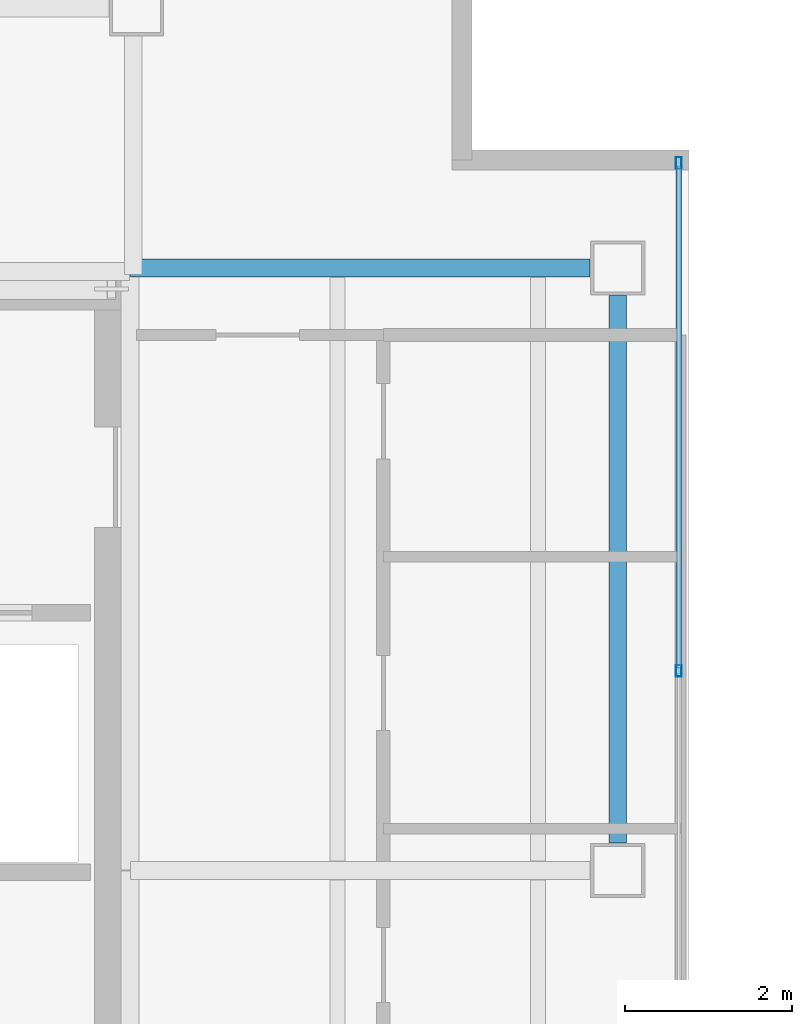
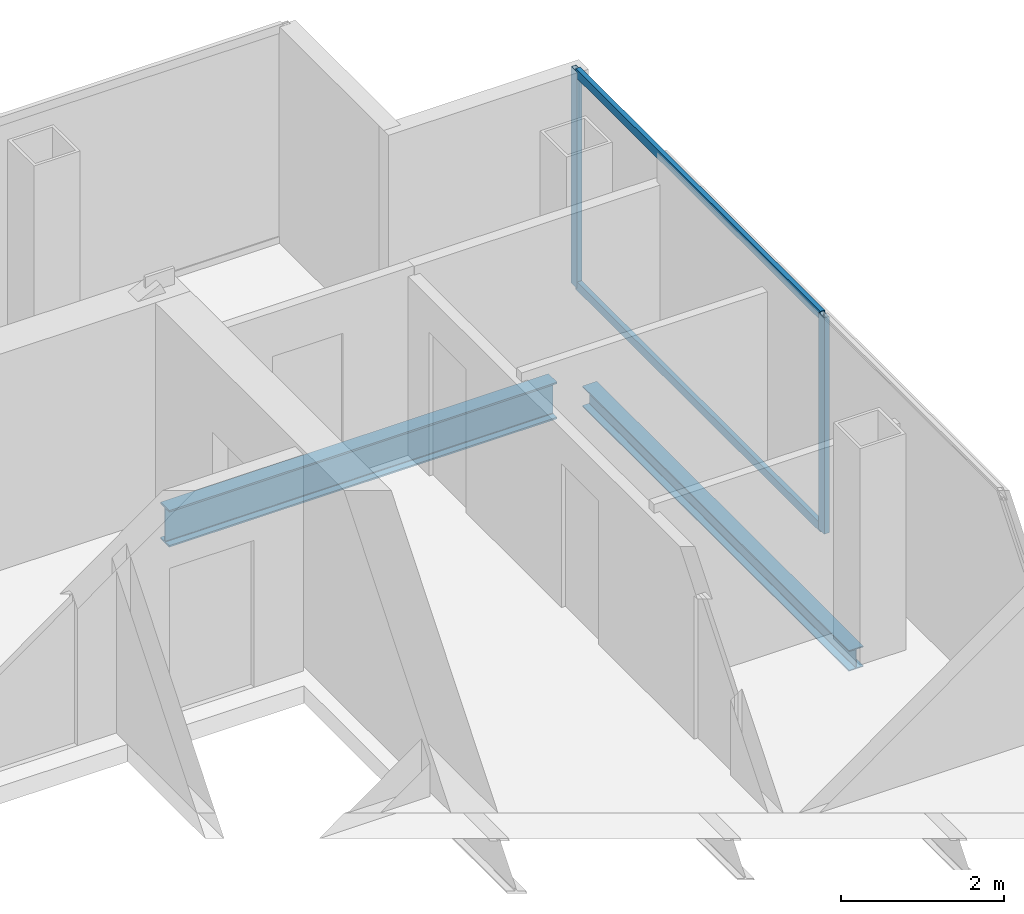
# One storey, part 11 of 23: 4 members, 2 beams, 1 element without a shape of its own.
"""IFC4 building model written with IfcOpenShell, lengths in metres."""

import ifcopenshell
import ifcopenshell.guid

model = None  # the IFC model being written
_history = None  # IfcOwnerHistory: only IFC2X3 demands one
_inside = {}  # id of a spatial element -> (the spatial element, [elements in it])
_under = {}  # id of a project, library or spatial element -> (it, [spatial elements below it])
_declared = {}  # id of a project -> (the project, [libraries it declares])
_typed = {}  # id of a type object -> (the type object, [elements of that type])
_made_of = {}  # id of a material, layer set ... -> (it, [elements and type objects made of it])


def new_model(schema):
    """Start an empty IFC model of exactly this schema.

    Asked for "IFC4X3", IfcOpenShell would pick the latest addendum, in which some entities
    have other attributes; the version numbers below select the first issue.
    IFC2X3 requires an IfcOwnerHistory on every rooted entity: one is made here for all.
    """
    global model, _history
    if schema == "IFC4X3":
        model = ifcopenshell.file(schema_version=(4, 3, 0, 0))
    else:
        model = ifcopenshell.file(schema=schema)
    _inside.clear()
    _under.clear()
    _declared.clear()
    _typed.clear()
    _made_of.clear()
    _history = None
    if model.schema == "IFC2X3":
        org = make("IfcOrganization", Name="unknown")
        user = make(
            "IfcPersonAndOrganization",
            ThePerson=make("IfcPerson", FamilyName="unknown"),
            TheOrganization=org,
        )
        app = make(
            "IfcApplication",
            ApplicationDeveloper=org,
            Version="unknown",
            ApplicationFullName="unknown",
            ApplicationIdentifier="unknown",
        )
        _history = make(
            "IfcOwnerHistory",
            OwningUser=user,
            OwningApplication=app,
            ChangeAction="ADDED",
            CreationDate=0,
        )
    return model


def make(cls, **values):
    """One entity of the class cls with the attributes given. An attribute that is None is left unset."""
    return model.create_entity(
        cls, **{name: value for name, value in values.items() if value is not None}
    )


def rooted(cls, **values):
    """An entity with a GlobalId (a new one), such as an element, a storey or a relation."""
    return make(cls, GlobalId=ifcopenshell.guid.new(), OwnerHistory=_history, **values)


def si_unit(unit_type, name, prefix=None):
    """IfcSIUnit, for example si_unit("LENGTHUNIT", "METRE", prefix="MILLI")."""
    return make("IfcSIUnit", UnitType=unit_type, Prefix=prefix, Name=name)


def assignment(units):
    """IfcUnitAssignment: the units of a project."""
    return None if units is None else make("IfcUnitAssignment", Units=units)


def point(xyz):
    """IfcCartesianPoint."""
    return None if xyz is None else make("IfcCartesianPoint", Coordinates=xyz)


def direction(xyz):
    """IfcDirection."""
    return None if xyz is None else make("IfcDirection", DirectionRatios=xyz)


def frame(location, z_axis=None, x_axis=None):
    """IfcAxis2Placement3D, a coordinate frame: its origin and axes. An axis left out is left unset."""
    return make(
        "IfcAxis2Placement3D",
        Location=point(location),
        Axis=direction(z_axis),
        RefDirection=direction(x_axis),
    )


def frame_2d(location, x_axis=None):
    """IfcAxis2Placement2D, a coordinate frame in the plane: its origin and x axis."""
    return make(
        "IfcAxis2Placement2D", Location=point(location), RefDirection=direction(x_axis)
    )


def origin():
    """The frame at (0, 0, 0) with its axes left unset."""
    return frame((0.0, 0.0, 0.0))


def origin_2d():
    """The frame at (0, 0) in the plane with its x axis left unset."""
    return frame_2d((0.0, 0.0))


def place(relative_to, where):
    """IfcLocalPlacement: puts the frame where relative to a parent placement (None: the world)."""
    return make(
        "IfcLocalPlacement", PlacementRelTo=relative_to, RelativePlacement=where
    )


def context(
    kind, dimensions, precision=None, world=None, true_north=None, identifier=None
):
    """IfcGeometricRepresentationContext, for example the 3D "Model" context."""
    return make(
        "IfcGeometricRepresentationContext",
        ContextIdentifier=identifier,
        ContextType=kind,
        CoordinateSpaceDimension=dimensions,
        Precision=precision,
        WorldCoordinateSystem=world,
        TrueNorth=true_north,
    )


def subcontext(parent, identifier, kind, view, scale=None):
    """IfcGeometricRepresentationSubContext, for example "Body" below "Model"."""
    return make(
        "IfcGeometricRepresentationSubContext",
        ContextIdentifier=identifier,
        ContextType=kind,
        ParentContext=parent,
        TargetScale=scale,
        TargetView=view,
    )


def project(units=None, contexts=None):
    """IfcProject with its units and contexts."""
    return rooted(
        "IfcProject",
        Name="project",
        RepresentationContexts=contexts,
        UnitsInContext=assignment(units),
    )


def spatial(cls, under=None, at=None, **own):
    """A site, building, storey or space (cls), placed at a placement, below another one or the project."""
    s = rooted(cls, ObjectPlacement=at, **own)
    if under is not None:
        _under.setdefault(under.id(), (under, []))[1].append(s)
    return s


def profile(cls, at=None, kind="AREA", **sizes):
    """A parametric profile (cls). Its sizes go by their IFC names, for example OverallWidth=200.0."""
    return make(cls, ProfileType=kind, Position=at, **sizes)


def hollow_rectangle(**sizes):
    """IfcRectangleHollowProfileDef."""
    return profile("IfcRectangleHollowProfileDef", **sizes)


def i_section(**sizes):
    """IfcIShapeProfileDef."""
    return profile("IfcIShapeProfileDef", **sizes)


def extrude(swept, where, along, depth):
    """IfcExtrudedAreaSolid: the profile swept, set in the frame where, extruded along a direction by depth."""
    return make(
        "IfcExtrudedAreaSolid",
        SweptArea=swept,
        Position=where,
        ExtrudedDirection=direction(along),
        Depth=depth,
    )


def shape(context_of_items, identifier, shape_type, items):
    """IfcShapeRepresentation: the items that make up one representation, for example the "Body"."""
    return make(
        "IfcShapeRepresentation",
        ContextOfItems=context_of_items,
        RepresentationIdentifier=identifier,
        RepresentationType=shape_type,
        Items=items,
    )


def material(Name=None, Category=None):
    """IfcMaterial."""
    return make("IfcMaterial", Name=Name, Category=Category)


def material_profile(
    of_material, cross_section, Name=None, Category=None, Priority=None
):
    """IfcMaterialProfile: a cross section and its material."""
    return make(
        "IfcMaterialProfile",
        Name=Name,
        Material=of_material,
        Profile=cross_section,
        Priority=Priority,
        Category=Category,
    )


def profile_set(profiles, Name=None, composite=None):
    """IfcMaterialProfileSet."""
    return make(
        "IfcMaterialProfileSet",
        Name=Name,
        MaterialProfiles=profiles,
        CompositeProfile=composite,
    )


def made_of(thing, what):
    """Note that an element or type object is made of a material, layer set ...; save() writes the relation."""
    if what is not None:
        _made_of.setdefault(what.id(), (what, []))[1].append(thing)
    return thing


def type_object(cls, material=None, **own):
    """A type object (cls), such as IfcWallType, which elements share."""
    return made_of(rooted(cls, **own), material)


def element(
    cls,
    number,
    at=None,
    inside=None,
    cuts=None,
    type_object=None,
    material=None,
    context=None,
    identifier="Body",
    shape_type=None,
    held_by="IfcProductDefinitionShape",
    body=None,
    shapes=None,
    **own,
):
    """One element of the class cls, such as IfcWall. Its Tag is "e" and its number.

    at: its placement. inside: the storey or other place that contains it. cuts: it is an
    opening in that element (IfcRelVoidsElement). A single representation is given by context,
    identifier, shape_type and body (its items); several are given by shapes. held_by: the class
    of the entity that holds the representations. save() writes the other relations.
    """
    e = rooted(cls, Tag="e%d" % number, ObjectPlacement=at, **own)
    if body is not None:
        shapes = [shape(context, identifier, shape_type, body)]
    if shapes is not None:
        e.Representation = make(held_by, Representations=shapes)
    if inside is not None:
        _inside.setdefault(inside.id(), (inside, []))[1].append(e)
    if cuts is not None:
        rooted(
            "IfcRelVoidsElement", RelatingBuildingElement=cuts, RelatedOpeningElement=e
        )
    if type_object is not None:
        _typed.setdefault(type_object.id(), (type_object, []))[1].append(e)
    return made_of(e, material)


def aggregate(whole, parts):
    """IfcRelAggregates: a whole, such as a stair, and the parts it consists of."""
    return rooted("IfcRelAggregates", RelatingObject=whole, RelatedObjects=parts)


def save(model, path):
    """Write the relations noted so far, then the file.

    IfcRelAggregates (storeys below a building ...), IfcRelContainedInSpatialStructure (elements
    in a storey), IfcRelDefinesByType, IfcRelAssociatesMaterial and IfcRelDeclares: one each for
    every whole, place, type object, material and project.
    """
    for whole, parts in _under.values():
        aggregate(whole, parts)
    for where, things in _inside.values():
        rooted(
            "IfcRelContainedInSpatialStructure",
            RelatedElements=things,
            RelatingStructure=where,
        )
    for kind, things in _typed.values():
        rooted("IfcRelDefinesByType", RelatedObjects=things, RelatingType=kind)
    for what, things in _made_of.values():
        rooted("IfcRelAssociatesMaterial", RelatedObjects=things, RelatingMaterial=what)
    for by, libraries in _declared.values():
        rooted("IfcRelDeclares", RelatingContext=by, RelatedDefinitions=libraries)
    model.write(path)


model = new_model("IFC4")

# Units and contexts
model_context = context("Model", 3, precision=1e-05, world=origin(), true_north=direction((0.0, 1.0)))
body_context = subcontext(model_context, "Body", "Model", "MODEL_VIEW")
ifc_project = project(units=[si_unit("LENGTHUNIT", "METRE"), si_unit("AREAUNIT", "SQUARE_METRE"), si_unit("VOLUMEUNIT", "CUBIC_METRE"), si_unit("PLANEANGLEUNIT", "RADIAN"), si_unit("MASSUNIT", "GRAM", prefix="KILO")], contexts=[model_context])

# Site, building, storey
site_placement = place(None, origin())
site = spatial("IfcSite", under=ifc_project, at=site_placement, CompositionType="ELEMENT")
building_placement = place(site_placement, origin())
building = spatial("IfcBuilding", under=site, at=building_placement, Name="Cobrela Telecom Tower", CompositionType="ELEMENT")
storey_placement = place(building_placement, frame((0.0, 0.0, 265.64990234375)))
storey = spatial("IfcBuildingStorey", under=building, at=storey_placement, Name="L69", CompositionType="ELEMENT", Elevation=265.64990234375)

# Beams
ifc_material_1 = material(Name="Steel ASTM A992 Grade 50", Category="steel")
ifc_material_profile_1 = material_profile(ifc_material_1, i_section(OverallWidth=0.212890625, OverallDepth=0.549072265625, WebThickness=0.0146484375, FlangeThickness=0.023681640625, FilletRadius=0.013916015625, at=origin_2d()), Name="W21X93")
ifc_profile_set_1 = profile_set([ifc_material_profile_1], Name="Steel ASTM A992 Grade 50")
beam_type_1 = type_object("IfcBeamType", Name="BM-GIRD-08", PredefinedType="USERDEFINED", material=ifc_profile_set_1)
beam_1_placement = place(storey_placement, frame((14.324951171875, 36.0, -0.534423828125), z_axis=(1.0, 0.0, 0.0), x_axis=(0.0, 1.0, 0.0)))
element("IfcBeam", 1, at=beam_1_placement, inside=storey, type_object=beam_type_1, Name="L69 Primary Girder X18", ObjectType="GIRDER", PredefinedType="USERDEFINED", context=body_context, shape_type="SweptSolid", body=[
    extrude(i_section(OverallWidth=0.212890625, OverallDepth=0.549072265625, WebThickness=0.0146484375, FlangeThickness=0.023681640625, FilletRadius=0.013916015625, at=origin_2d()), origin(), (0.0, 0.0, 1.0), 5.4951171875),
])
ifc_material_profile_2 = material_profile(ifc_material_1, i_section(OverallWidth=0.205078125, OverallDepth=0.31005859375, WebThickness=0.009521484375, FlangeThickness=0.016357421875, FilletRadius=0.010986328125, at=origin_2d()), Name="W12X50")
ifc_profile_set_2 = profile_set([ifc_material_profile_2], Name="Steel ASTM A992 Grade 50")
beam_type_2 = type_object("IfcBeamType", Name="BM-SPAND-07", PredefinedType="SPANDREL", material=ifc_profile_set_2)
beam_2_placement = place(storey_placement, frame((20.14990234375, 29.1298828125, -0.414794921875), z_axis=(0.0, 1.0, 0.0), x_axis=(-1.0, 0.0, 0.0)))
element("IfcBeam", 2, at=beam_2_placement, inside=storey, type_object=beam_type_2, Name="L69 Perimeter Spandrel Y26", PredefinedType="SPANDREL", context=body_context, shape_type="SweptSolid", body=[
    extrude(i_section(OverallWidth=0.205078125, OverallDepth=0.31005859375, WebThickness=0.009521484375, FlangeThickness=0.016357421875, FilletRadius=0.010986328125, at=origin_2d()), origin(), (0.0, 0.0, 1.0), 6.5400390625),
])

# Curtain wall, members
ifc_material_2 = material(Name="Anodized Bronze Aluminium 6063-T6", Category="aluminium")
curtain_wall_type = type_object("IfcCurtainWallType", Name="CW-SYS-OFF-HI", PredefinedType="USERDEFINED", material=ifc_material_2)
curtain_wall_placement = place(storey_placement, origin())
curtain_wall = element("IfcCurtainWall", 3, at=curtain_wall_placement, inside=storey, type_object=curtain_wall_type, Name="L69 Unitised Bronze Curtain Wall 08", ObjectType="UNITISED CURTAIN WALL", PredefinedType="USERDEFINED")
ifc_material_profile_3 = material_profile(ifc_material_2, hollow_rectangle(XDim=0.070068359375, YDim=0.139892578125, WallThickness=0.00390625, at=origin_2d()), Name="ALU 70x140x4")
ifc_profile_set_3 = profile_set([ifc_material_profile_3], Name="Anodized Bronze Aluminium 6063-T6")
member_type_1 = type_object("IfcMemberType", Name="CW-SYS-OFF-HI-MUL", PredefinedType="MULLION", material=ifc_profile_set_3)
member_1_placement = place(storey_placement, frame((20.8798828125, 37.2548828125, 0.0), z_axis=(0.0, 0.0, 1.0), x_axis=(1.0, 0.0, 0.0)))
member_1 = element("IfcMember", 4, at=member_1_placement, type_object=member_type_1, Name="CW-OFF-HI mullion 1", PredefinedType="MULLION", context=body_context, shape_type="SweptSolid", body=[
    extrude(hollow_rectangle(XDim=0.070068359375, YDim=0.139892578125, WallThickness=0.00390625, at=origin_2d()), origin(), (0.0, 0.0, 1.0), 3.239990234375),
])
member_2_placement = place(storey_placement, frame((20.8798828125, 31.18505859375, 0.0), z_axis=(0.0, 0.0, 1.0), x_axis=(1.0, 0.0, 0.0)))
member_2 = element("IfcMember", 5, at=member_2_placement, type_object=member_type_1, Name="CW-OFF-HI mullion 2", PredefinedType="MULLION", context=body_context, shape_type="SweptSolid", body=[
    extrude(hollow_rectangle(XDim=0.070068359375, YDim=0.139892578125, WallThickness=0.00390625, at=origin_2d()), origin(), (0.0, 0.0, 1.0), 3.239990234375),
])
ifc_material_profile_4 = material_profile(ifc_material_2, hollow_rectangle(XDim=0.06494140625, YDim=0.1298828125, WallThickness=0.00390625, at=origin_2d()), Name="ALU 65x130x4")
ifc_profile_set_4 = profile_set([ifc_material_profile_4], Name="Anodized Bronze Aluminium 6063-T6")
member_type_2 = type_object("IfcMemberType", Name="CW-SYS-OFF-HI-TRN", PredefinedType="USERDEFINED", material=ifc_profile_set_4)
member_3_placement = place(storey_placement, frame((20.8798828125, 37.219970703125, 0.03271484375), z_axis=(0.0, -1.0, 0.0), x_axis=(1.0, 0.0, 0.0)))
member_3 = element("IfcMember", 6, at=member_3_placement, type_object=member_type_2, Name="CW-OFF-HI transom 1.1", ObjectType="TRANSOM", PredefinedType="USERDEFINED", context=body_context, shape_type="SweptSolid", body=[
    extrude(hollow_rectangle(XDim=0.06494140625, YDim=0.1298828125, WallThickness=0.00390625, at=origin_2d()), origin(), (0.0, 0.0, 1.0), 6.0),
])
member_4_placement = place(storey_placement, frame((20.8798828125, 37.219970703125, 3.20751953125), z_axis=(0.0, -1.0, 0.0), x_axis=(1.0, 0.0, 0.0)))
member_4 = element("IfcMember", 7, at=member_4_placement, type_object=member_type_2, Name="CW-OFF-HI transom 1.2", ObjectType="TRANSOM", PredefinedType="USERDEFINED", context=body_context, shape_type="SweptSolid", body=[
    extrude(hollow_rectangle(XDim=0.06494140625, YDim=0.1298828125, WallThickness=0.00390625, at=origin_2d()), origin(), (0.0, 0.0, 1.0), 6.0),
])
aggregate(curtain_wall, [member_1, member_2, member_3, member_4])

save(model, "model.ifc")
